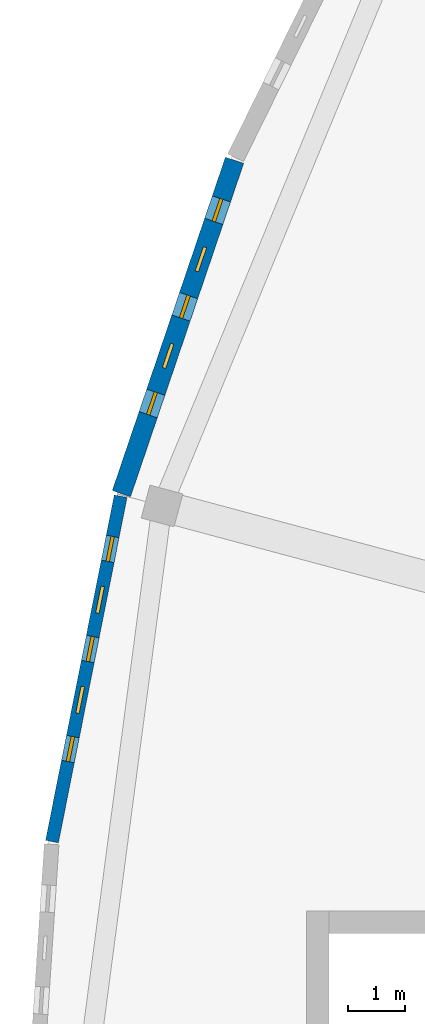
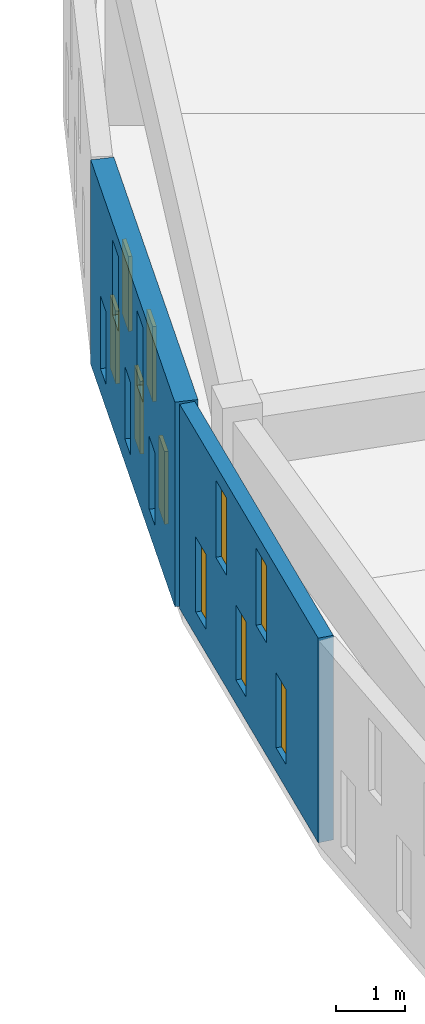
# One storey, part 108 of 155: 10 windows, 2 walls, 10 openings.
"""IFC4 building model written with IfcOpenShell, lengths in metres."""

from ifc_helpers import new_model, si_unit, direction, frame, frame_2d, origin, place, context, subcontext, project, spatial, rectangle, extrude, material, layer, layer_set, type_object, element, fill, save


model = new_model("IFC4")

# Units and contexts
model_context = context("Model", 3, precision=1e-05, world=origin(), true_north=direction((0.0, 1.0)))
body_context = subcontext(model_context, "Body", "Model", "MODEL_VIEW")
ifc_project = project(units=[si_unit("LENGTHUNIT", "METRE"), si_unit("AREAUNIT", "SQUARE_METRE"), si_unit("VOLUMEUNIT", "CUBIC_METRE"), si_unit("PLANEANGLEUNIT", "RADIAN"), si_unit("MASSUNIT", "GRAM", prefix="KILO")], contexts=[model_context])

# Site, building, storey
site_placement = place(None, origin())
site = spatial("IfcSite", under=ifc_project, at=site_placement, CompositionType="ELEMENT")
building_placement = place(site_placement, origin())
building = spatial("IfcBuilding", under=site, at=building_placement, Name="Larkveld Mobility Hub", CompositionType="ELEMENT")
storey_placement = place(building_placement, frame((0.0, 0.0, 8.39990234375)))
storey = spatial("IfcBuildingStorey", under=building, at=storey_placement, Name="L02", CompositionType="ELEMENT", Elevation=8.39990234375)

# Wall, openings, windows
ifc_material_1 = material(Name="Fired clay brick 25 MPa", Category="masonry")
ifc_layer_1 = layer(ifc_material_1, 0.22998046875, Name="Fired clay brick 25 MPa", Category="masonry")
ifc_layer_set_1 = layer_set([ifc_layer_1], Name="Fired clay brick 25 MPa")
wall_type_1 = type_object("IfcWallType", Name="WL-BRK-230", PredefinedType="USERDEFINED", material=ifc_layer_set_1)
wall_1_placement = place(storey_placement, frame((1.77490234375, 60.360107421875, 0.0), z_axis=(0.0, 0.0, 1.0), x_axis=(-0.195019632022, -0.980799338869, 0.0)))
wall_1 = element("IfcWall", 1, at=wall_1_placement, inside=storey, type_object=wall_type_1, Name="Drum Woven Open-Bond Brick Chord L02-0113", ObjectType="PERFORATED BRICK SCREEN", PredefinedType="USERDEFINED", context=body_context, shape_type="SweptSolid", body=[
    extrude(rectangle(XDim=6.209228515625, YDim=0.22998046875, at=frame_2d((3.1044921875, 0.0))), origin(), (0.0, 0.0, 1.0), 3.60009765625),
])
opening_1_placement = place(wall_1_placement, frame((0.719970703125, 0.0, 0.419921875)))
opening_1 = element("IfcOpeningElement", 2, at=opening_1_placement, cuts=wall_1, Name="Opening W02", PredefinedType="OPENING", context=body_context, shape_type="SweptSolid", body=[
    extrude(rectangle(XDim=0.449951171875, YDim=1.320068359375, at=frame_2d((0.22509765625, 0.66015625))), frame((0.0, 0.125, 0.0), z_axis=(0.0, -1.0, 0.0), x_axis=(1.0, 0.0, 0.0)), (0.0, 0.0, 1.0), 0.25),
])
opening_2_placement = place(wall_1_placement, frame((2.52001953125, 0.0, 0.419921875)))
opening_2 = element("IfcOpeningElement", 3, at=opening_2_placement, cuts=wall_1, Name="Opening W02", PredefinedType="OPENING", context=body_context, shape_type="SweptSolid", body=[
    extrude(rectangle(XDim=0.449951171875, YDim=1.320068359375, at=frame_2d((0.22509765625, 0.66015625))), frame((0.0, 0.125, 0.0), z_axis=(0.0, -1.0, 0.0), x_axis=(1.0, 0.0, 0.0)), (0.0, 0.0, 1.0), 0.25),
])
opening_3_placement = place(wall_1_placement, frame((4.320068359375, 0.0, 0.419921875)))
opening_3 = element("IfcOpeningElement", 4, at=opening_3_placement, cuts=wall_1, Name="Opening W02", PredefinedType="OPENING", context=body_context, shape_type="SweptSolid", body=[
    extrude(rectangle(XDim=0.449951171875, YDim=1.320068359375, at=frame_2d((0.22509765625, 0.66015625))), frame((0.0, 0.125, 0.0), z_axis=(0.0, -1.0, 0.0), x_axis=(1.0, 0.0, 0.0)), (0.0, 0.0, 1.0), 0.25),
])
opening_4_placement = place(wall_1_placement, frame((1.6201171875, 0.0, 1.97998046875)))
opening_4 = element("IfcOpeningElement", 5, at=opening_4_placement, cuts=wall_1, Name="Opening W03", PredefinedType="OPENING", context=body_context, shape_type="SweptSolid", body=[
    extrude(rectangle(XDim=0.47998046875, YDim=1.360107421875, at=frame_2d((0.239990234375, 0.68017578125))), frame((0.0, 0.125, 0.0), z_axis=(0.0, -1.0, 0.0), x_axis=(1.0, 0.0, 0.0)), (0.0, 0.0, 1.0), 0.25),
])
opening_5_placement = place(wall_1_placement, frame((3.419921875, 0.0, 1.97998046875)))
opening_5 = element("IfcOpeningElement", 6, at=opening_5_placement, cuts=wall_1, Name="Opening W03", PredefinedType="OPENING", context=body_context, shape_type="SweptSolid", body=[
    extrude(rectangle(XDim=0.47998046875, YDim=1.360107421875, at=frame_2d((0.239990234375, 0.68017578125))), frame((0.0, 0.125, 0.0), z_axis=(0.0, -1.0, 0.0), x_axis=(1.0, 0.0, 0.0)), (0.0, 0.0, 1.0), 0.25),
])
ifc_material_2 = material(Name="Extruded aluminium ventilation grille", Category="aluminium")
window_type_1 = type_object("IfcWindowType", Name="WN-VENT-02", PartitioningType="SINGLE_PANEL", PredefinedType="WINDOW", material=ifc_material_2)
window_1_placement = place(opening_1_placement, origin())
window_1 = element("IfcWindow", 7, at=window_1_placement, inside=storey, type_object=window_type_1, Name="Window W02 (0551)", OverallHeight=1.320068359375, OverallWidth=0.449951171875, PartitioningType="SINGLE_PANEL", PredefinedType="WINDOW", context=body_context, shape_type="SweptSolid", body=[
    extrude(rectangle(XDim=0.449951171875, YDim=1.320068359375, at=frame_2d((0.22509765625, 0.66015625))), frame((0.0, 0.030029296875, 0.0), z_axis=(0.0, -1.0, 0.0), x_axis=(1.0, 0.0, 0.0)), (0.0, 0.0, 1.0), 0.06005859375),
])
fill(opening_1, window_1)
window_2_placement = place(opening_2_placement, origin())
window_2 = element("IfcWindow", 8, at=window_2_placement, inside=storey, type_object=window_type_1, Name="Window W02 (0552)", OverallHeight=1.320068359375, OverallWidth=0.449951171875, PartitioningType="SINGLE_PANEL", PredefinedType="WINDOW", context=body_context, shape_type="SweptSolid", body=[
    extrude(rectangle(XDim=0.449951171875, YDim=1.320068359375, at=frame_2d((0.22509765625, 0.66015625))), frame((0.0, 0.030029296875, 0.0), z_axis=(0.0, -1.0, 0.0), x_axis=(1.0, 0.0, 0.0)), (0.0, 0.0, 1.0), 0.06005859375),
])
fill(opening_2, window_2)
window_3_placement = place(opening_3_placement, origin())
window_3 = element("IfcWindow", 9, at=window_3_placement, inside=storey, type_object=window_type_1, Name="Window W02 (0553)", OverallHeight=1.320068359375, OverallWidth=0.449951171875, PartitioningType="SINGLE_PANEL", PredefinedType="WINDOW", context=body_context, shape_type="SweptSolid", body=[
    extrude(rectangle(XDim=0.449951171875, YDim=1.320068359375, at=frame_2d((0.22509765625, 0.66015625))), frame((0.0, 0.030029296875, 0.0), z_axis=(0.0, -1.0, 0.0), x_axis=(1.0, 0.0, 0.0)), (0.0, 0.0, 1.0), 0.06005859375),
])
fill(opening_3, window_3)
window_type_2 = type_object("IfcWindowType", Name="WN-VENT-03", PartitioningType="SINGLE_PANEL", PredefinedType="WINDOW", material=ifc_material_2)
window_4_placement = place(opening_4_placement, origin())
window_4 = element("IfcWindow", 10, at=window_4_placement, inside=storey, type_object=window_type_2, Name="Window W03 (0554)", OverallHeight=1.360107421875, OverallWidth=0.47998046875, PartitioningType="SINGLE_PANEL", PredefinedType="WINDOW", context=body_context, shape_type="SweptSolid", body=[
    extrude(rectangle(XDim=0.47998046875, YDim=1.360107421875, at=frame_2d((0.239990234375, 0.68017578125))), frame((0.0, 0.030029296875, 0.0), z_axis=(0.0, -1.0, 0.0), x_axis=(1.0, 0.0, 0.0)), (0.0, 0.0, 1.0), 0.06005859375),
])
fill(opening_4, window_4)
window_5_placement = place(opening_5_placement, origin())
window_5 = element("IfcWindow", 11, at=window_5_placement, inside=storey, type_object=window_type_2, Name="Window W03 (0555)", OverallHeight=1.360107421875, OverallWidth=0.47998046875, PartitioningType="SINGLE_PANEL", PredefinedType="WINDOW", context=body_context, shape_type="SweptSolid", body=[
    extrude(rectangle(XDim=0.47998046875, YDim=1.360107421875, at=frame_2d((0.239990234375, 0.68017578125))), frame((0.0, 0.030029296875, 0.0), z_axis=(0.0, -1.0, 0.0), x_axis=(1.0, 0.0, 0.0)), (0.0, 0.0, 1.0), 0.06005859375),
])
fill(opening_5, window_5)

ifc_layer_2 = layer(ifc_material_1, 0.340087890625, Name="Fired clay brick 25 MPa", Category="masonry")
ifc_layer_set_2 = layer_set([ifc_layer_2], Name="Fired clay brick 25 MPa")
wall_type_2 = type_object("IfcWallType", Name="WL-BRK-340", PredefinedType="USERDEFINED", material=ifc_layer_set_2)
wall_2_placement = place(storey_placement, frame((3.783935546875, 66.2880859375, 0.0), z_axis=(0.0, 0.0, 1.0), x_axis=(-0.321364960579, -0.946955417172, 0.0)))
wall_2 = element("IfcWall", 12, at=wall_2_placement, inside=storey, type_object=wall_type_2, Name="Drum Woven Open-Bond Brick Chord L02-0112", ObjectType="PERFORATED BRICK SCREEN", PredefinedType="USERDEFINED", context=body_context, shape_type="SweptSolid", body=[
    extrude(rectangle(XDim=6.21044921875, YDim=0.340087890625, at=frame_2d((3.105224609375, 0.0))), origin(), (0.0, 0.0, 1.0), 3.60009765625),
])
opening_6_placement = place(wall_2_placement, frame((0.719970703125, 0.0, 0.419921875)))
opening_6 = element("IfcOpeningElement", 13, at=opening_6_placement, cuts=wall_2, Name="Opening W01", PredefinedType="OPENING", context=body_context, shape_type="SweptSolid", body=[
    extrude(rectangle(XDim=0.419921875, YDim=1.280029296875, at=frame_2d((0.2099609375, 0.64013671875))), frame((0.0, 0.18017578125, 0.0), z_axis=(0.0, -1.0, 0.0), x_axis=(1.0, 0.0, 0.0)), (0.0, 0.0, 1.0), 0.360107421875),
])
opening_7_placement = place(wall_2_placement, frame((2.52001953125, 0.0, 0.419921875)))
opening_7 = element("IfcOpeningElement", 14, at=opening_7_placement, cuts=wall_2, Name="Opening W01", PredefinedType="OPENING", context=body_context, shape_type="SweptSolid", body=[
    extrude(rectangle(XDim=0.419921875, YDim=1.280029296875, at=frame_2d((0.2099609375, 0.64013671875))), frame((0.0, 0.18017578125, 0.0), z_axis=(0.0, -1.0, 0.0), x_axis=(1.0, 0.0, 0.0)), (0.0, 0.0, 1.0), 0.360107421875),
])
opening_8_placement = place(wall_2_placement, frame((4.320068359375, 0.0, 0.419921875)))
opening_8 = element("IfcOpeningElement", 15, at=opening_8_placement, cuts=wall_2, Name="Opening W01", PredefinedType="OPENING", context=body_context, shape_type="SweptSolid", body=[
    extrude(rectangle(XDim=0.419921875, YDim=1.280029296875, at=frame_2d((0.2099609375, 0.64013671875))), frame((0.0, 0.18017578125, 0.0), z_axis=(0.0, -1.0, 0.0), x_axis=(1.0, 0.0, 0.0)), (0.0, 0.0, 1.0), 0.360107421875),
])
opening_9_placement = place(wall_2_placement, frame((1.6201171875, 0.0, 1.97998046875)))
opening_9 = element("IfcOpeningElement", 16, at=opening_9_placement, cuts=wall_2, Name="Opening W02", PredefinedType="OPENING", context=body_context, shape_type="SweptSolid", body=[
    extrude(rectangle(XDim=0.449951171875, YDim=1.320068359375, at=frame_2d((0.22509765625, 0.66015625))), frame((0.0, 0.18017578125, 0.0), z_axis=(0.0, -1.0, 0.0), x_axis=(1.0, 0.0, 0.0)), (0.0, 0.0, 1.0), 0.360107421875),
])
opening_10_placement = place(wall_2_placement, frame((3.419921875, 0.0, 1.97998046875)))
opening_10 = element("IfcOpeningElement", 17, at=opening_10_placement, cuts=wall_2, Name="Opening W02", PredefinedType="OPENING", context=body_context, shape_type="SweptSolid", body=[
    extrude(rectangle(XDim=0.449951171875, YDim=1.320068359375, at=frame_2d((0.22509765625, 0.66015625))), frame((0.0, 0.18017578125, 0.0), z_axis=(0.0, -1.0, 0.0), x_axis=(1.0, 0.0, 0.0)), (0.0, 0.0, 1.0), 0.360107421875),
])
window_type_3 = type_object("IfcWindowType", Name="WN-VENT-01", PartitioningType="SINGLE_PANEL", PredefinedType="WINDOW", material=ifc_material_2)
window_6_placement = place(opening_6_placement, origin())
window_6 = element("IfcWindow", 18, at=window_6_placement, inside=storey, type_object=window_type_3, Name="Window W01 (0546)", OverallHeight=1.280029296875, OverallWidth=0.419921875, PartitioningType="SINGLE_PANEL", PredefinedType="WINDOW", context=body_context, shape_type="SweptSolid", body=[
    extrude(rectangle(XDim=0.419921875, YDim=1.280029296875, at=frame_2d((0.2099609375, 0.64013671875))), frame((0.0, 0.030029296875, 0.0), z_axis=(0.0, -1.0, 0.0), x_axis=(1.0, 0.0, 0.0)), (0.0, 0.0, 1.0), 0.06005859375),
])
fill(opening_6, window_6)
window_7_placement = place(opening_7_placement, origin())
window_7 = element("IfcWindow", 19, at=window_7_placement, inside=storey, type_object=window_type_3, Name="Window W01 (0547)", OverallHeight=1.280029296875, OverallWidth=0.419921875, PartitioningType="SINGLE_PANEL", PredefinedType="WINDOW", context=body_context, shape_type="SweptSolid", body=[
    extrude(rectangle(XDim=0.419921875, YDim=1.280029296875, at=frame_2d((0.2099609375, 0.64013671875))), frame((0.0, 0.030029296875, 0.0), z_axis=(0.0, -1.0, 0.0), x_axis=(1.0, 0.0, 0.0)), (0.0, 0.0, 1.0), 0.06005859375),
])
fill(opening_7, window_7)
window_8_placement = place(opening_8_placement, origin())
window_8 = element("IfcWindow", 20, at=window_8_placement, inside=storey, type_object=window_type_3, Name="Window W01 (0548)", OverallHeight=1.280029296875, OverallWidth=0.419921875, PartitioningType="SINGLE_PANEL", PredefinedType="WINDOW", context=body_context, shape_type="SweptSolid", body=[
    extrude(rectangle(XDim=0.419921875, YDim=1.280029296875, at=frame_2d((0.2099609375, 0.64013671875))), frame((0.0, 0.030029296875, 0.0), z_axis=(0.0, -1.0, 0.0), x_axis=(1.0, 0.0, 0.0)), (0.0, 0.0, 1.0), 0.06005859375),
])
fill(opening_8, window_8)
window_9_placement = place(opening_9_placement, origin())
window_9 = element("IfcWindow", 21, at=window_9_placement, inside=storey, type_object=window_type_1, Name="Window W02 (0549)", OverallHeight=1.320068359375, OverallWidth=0.449951171875, PartitioningType="SINGLE_PANEL", PredefinedType="WINDOW", context=body_context, shape_type="SweptSolid", body=[
    extrude(rectangle(XDim=0.449951171875, YDim=1.320068359375, at=frame_2d((0.22509765625, 0.66015625))), frame((0.0, 0.030029296875, 0.0), z_axis=(0.0, -1.0, 0.0), x_axis=(1.0, 0.0, 0.0)), (0.0, 0.0, 1.0), 0.06005859375),
])
fill(opening_9, window_9)
window_10_placement = place(opening_10_placement, origin())
window_10 = element("IfcWindow", 22, at=window_10_placement, inside=storey, type_object=window_type_1, Name="Window W02 (0550)", OverallHeight=1.320068359375, OverallWidth=0.449951171875, PartitioningType="SINGLE_PANEL", PredefinedType="WINDOW", context=body_context, shape_type="SweptSolid", body=[
    extrude(rectangle(XDim=0.449951171875, YDim=1.320068359375, at=frame_2d((0.22509765625, 0.66015625))), frame((0.0, 0.030029296875, 0.0), z_axis=(0.0, -1.0, 0.0), x_axis=(1.0, 0.0, 0.0)), (0.0, 0.0, 1.0), 0.06005859375),
])
fill(opening_10, window_10)

save(model, "model.ifc")
